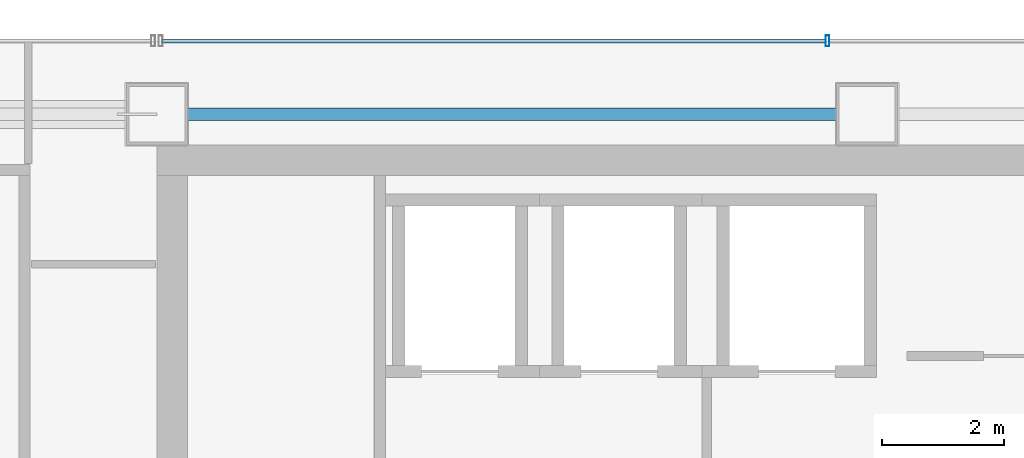
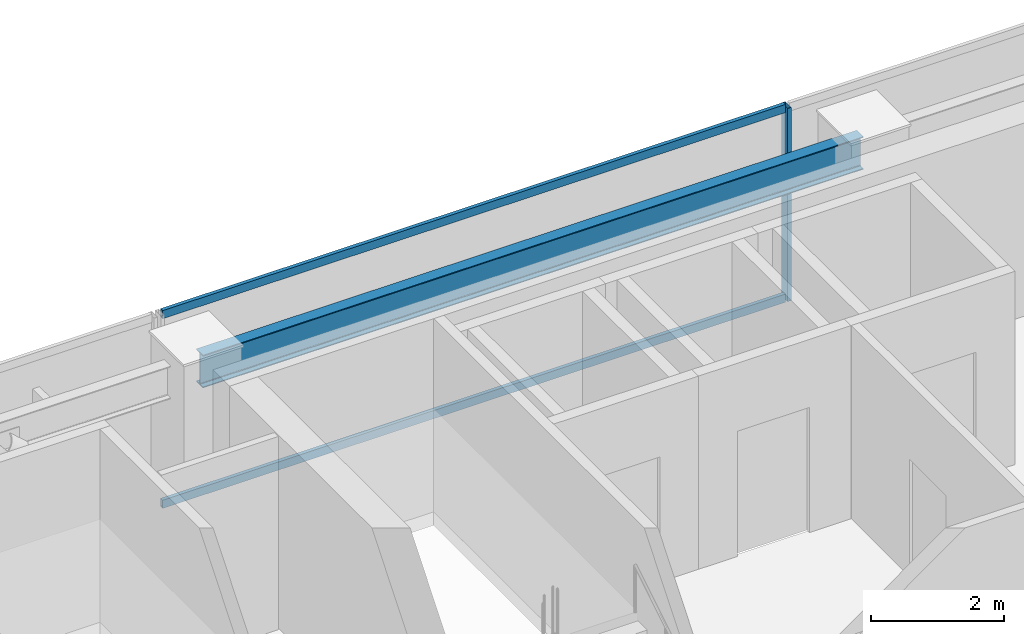
# One storey, part 23 of 35: 3 members, 1 beam, 1 element without a shape of its own.
"""IFC4 building model written with IfcOpenShell, lengths in metres."""

from ifc_helpers import new_model, si_unit, direction, frame, origin, origin_2d, place, context, subcontext, project, spatial, hollow_rectangle, i_section, extrude, material, material_profile, profile_set, type_object, element, aggregate, save


model = new_model("IFC4")

# Units and contexts
model_context = context("Model", 3, precision=1e-05, world=origin(), true_north=direction((0.0, 1.0)))
body_context = subcontext(model_context, "Body", "Model", "MODEL_VIEW")
ifc_project = project(units=[si_unit("LENGTHUNIT", "METRE"), si_unit("AREAUNIT", "SQUARE_METRE"), si_unit("VOLUMEUNIT", "CUBIC_METRE"), si_unit("PLANEANGLEUNIT", "RADIAN"), si_unit("MASSUNIT", "GRAM", prefix="KILO")], contexts=[model_context])

# Site, building, storey
site_placement = place(None, origin())
site = spatial("IfcSite", under=ifc_project, at=site_placement, CompositionType="ELEMENT")
building_placement = place(site_placement, origin())
building = spatial("IfcBuilding", under=site, at=building_placement, Name="Saevonmaru Cultural Tower", CompositionType="ELEMENT")
storey_placement = place(building_placement, frame((0.0, 0.0, 179.0)))
storey = spatial("IfcBuildingStorey", under=building, at=storey_placement, Name="L40", CompositionType="ELEMENT", Elevation=179.0)

# Beam
ifc_material_1 = material(Name="Steel SM355", Category="steel")
ifc_material_profile_1 = material_profile(ifc_material_1, i_section(OverallWidth=0.199951171875, OverallDepth=0.60009765625, WebThickness=0.010986328125, FlangeThickness=0.01708984375, FilletRadius=0.02197265625, at=origin_2d()), Name="H-600x200x11x17")
ifc_profile_set_1 = profile_set([ifc_material_profile_1], Name="Steel SM355")
beam_type = type_object("IfcBeamType", Name="BM-SP-H600", PredefinedType="SPANDREL", material=ifc_profile_set_1)
beam_placement = place(storey_placement, frame((13.659912109375, 54.800048828125, 3.25), z_axis=(1.0, 0.0, 0.0), x_axis=(0.0, 1.0, 0.0)))
element("IfcBeam", 1, at=beam_placement, inside=storey, type_object=beam_type, Name="L40 North Spine Girder 2", PredefinedType="SPANDREL", context=body_context, shape_type="SweptSolid", body=[
    extrude(i_section(OverallWidth=0.199951171875, OverallDepth=0.60009765625, WebThickness=0.010986328125, FlangeThickness=0.01708984375, FilletRadius=0.02197265625, at=origin_2d()), origin(), (0.0, 0.0, 1.0), 11.47998046875),
])

# Curtain wall, members
ifc_material_2 = material(Name="Satin Bronze Anodised Aluminium", Category="aluminium")
curtain_wall_type = type_object("IfcCurtainWallType", Name="CW-TYP-B", PredefinedType="NOTDEFINED", material=ifc_material_2)
curtain_wall_placement = place(storey_placement, origin())
curtain_wall = element("IfcCurtainWall", 2, at=curtain_wall_placement, inside=storey, type_object=curtain_wall_type, Name="L40 North Spine Unitised Curtain Wall E10B", PredefinedType="NOTDEFINED")
ifc_material_profile_2 = material_profile(ifc_material_2, hollow_rectangle(XDim=0.06494140625, YDim=0.179931640625, WallThickness=0.00390625, at=origin_2d()), Name="ALU-MULL-180x65x4")
ifc_profile_set_2 = profile_set([ifc_material_profile_2], Name="Satin Bronze Anodised Aluminium")
member_type_1 = type_object("IfcMemberType", Name="ML-CW-180x65", PredefinedType="MULLION", material=ifc_profile_set_2)
member_1_placement = place(storey_placement, frame((24.55322265625, 56.0, 0.0), z_axis=(0.0, 0.0, 1.0), x_axis=(-1.0, 0.0, 0.0)))
member_1 = element("IfcMember", 3, at=member_1_placement, type_object=member_type_1, Name="CW-TW-L40-E10B mullion 3", PredefinedType="MULLION", context=body_context, shape_type="SweptSolid", body=[
    extrude(hollow_rectangle(XDim=0.06494140625, YDim=0.179931640625, WallThickness=0.00390625, at=origin_2d()), origin(), (0.0, 0.0, 1.0), 3.550048828125),
])
ifc_material_profile_3 = material_profile(ifc_material_2, hollow_rectangle(XDim=0.06494140625, YDim=0.14990234375, WallThickness=0.00390625, at=origin_2d()), Name="ALU-TRAN-150x65x4")
ifc_profile_set_3 = profile_set([ifc_material_profile_3], Name="Satin Bronze Anodised Aluminium")
member_type_2 = type_object("IfcMemberType", Name="TR-CW-150x65", PredefinedType="USERDEFINED", material=ifc_profile_set_3)
member_2_placement = place(storey_placement, frame((24.520751953125, 56.0, 0.032470703125), z_axis=(-1.0, 0.0, 0.0), x_axis=(0.0, -1.0, 0.0)))
member_2 = element("IfcMember", 4, at=member_2_placement, type_object=member_type_2, Name="CW-TW-L40-E10B transom 3.1", ObjectType="TRANSOM", PredefinedType="USERDEFINED", context=body_context, shape_type="SweptSolid", body=[
    extrude(hollow_rectangle(XDim=0.06494140625, YDim=0.14990234375, WallThickness=0.00390625, at=origin_2d()), origin(), (0.0, 0.0, 1.0), 10.828369140625),
])
member_3_placement = place(storey_placement, frame((24.520751953125, 56.0, 3.517578125), z_axis=(-1.0, 0.0, 0.0), x_axis=(0.0, -1.0, 0.0)))
member_3 = element("IfcMember", 5, at=member_3_placement, type_object=member_type_2, Name="CW-TW-L40-E10B transom 3.2", ObjectType="TRANSOM", PredefinedType="USERDEFINED", context=body_context, shape_type="SweptSolid", body=[
    extrude(hollow_rectangle(XDim=0.06494140625, YDim=0.14990234375, WallThickness=0.00390625, at=origin_2d()), origin(), (0.0, 0.0, 1.0), 10.828369140625),
])
aggregate(curtain_wall, [member_1, member_2, member_3])

save(model, "model.ifc")
